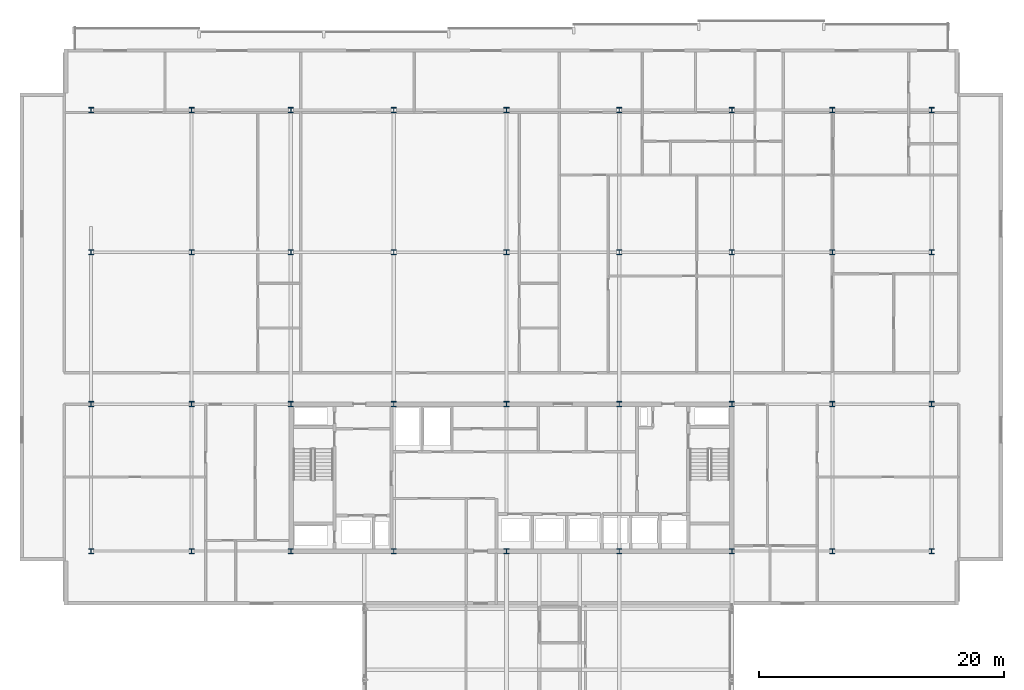
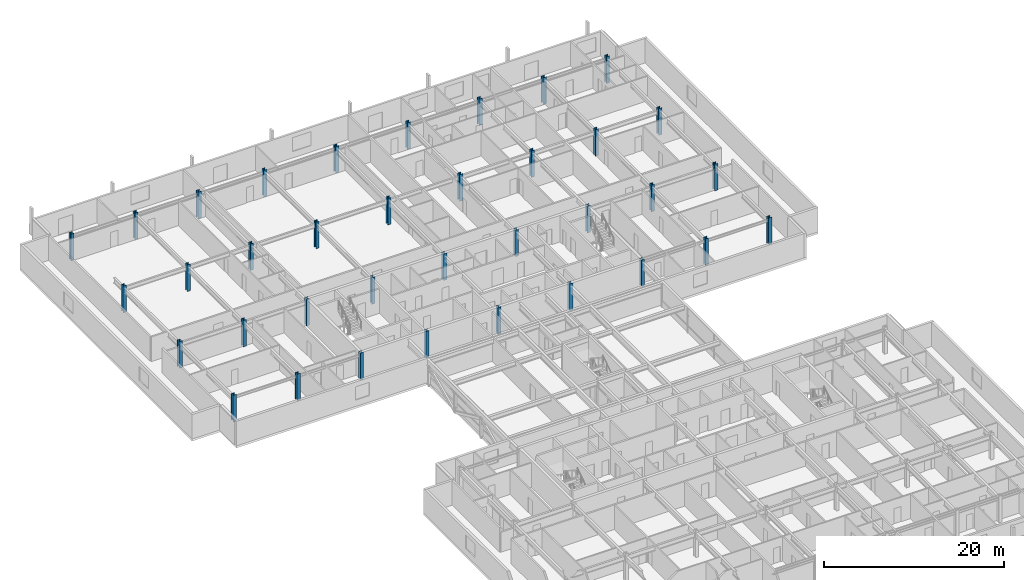
# One storey, part 2 of 36: 36 columns.
"""IFC4 building model written with IfcOpenShell, lengths in metres."""

from ifc_helpers import new_model, si_unit, direction, frame, origin, origin_2d, place, context, subcontext, project, spatial, i_section, extrude, material, material_profile, profile_set, type_object, element, save


model = new_model("IFC4")

# Units and contexts
model_context = context("Model", 3, precision=1e-05, world=origin(), true_north=direction((0.0, 1.0)))
body_context = subcontext(model_context, "Body", "Model", "MODEL_VIEW")
ifc_project = project(units=[si_unit("LENGTHUNIT", "METRE"), si_unit("AREAUNIT", "SQUARE_METRE"), si_unit("VOLUMEUNIT", "CUBIC_METRE"), si_unit("PLANEANGLEUNIT", "RADIAN"), si_unit("MASSUNIT", "GRAM", prefix="KILO")], contexts=[model_context])

# Site, building, storey
site_placement = place(None, origin())
site = spatial("IfcSite", under=ifc_project, at=site_placement, CompositionType="ELEMENT")
building_placement = place(site_placement, origin())
building = spatial("IfcBuilding", under=site, at=building_placement, Name="Korimba Cascade Residences", CompositionType="ELEMENT")
storey_placement = place(building_placement, frame((0.0, 0.0, 142.89990234375)))
storey = spatial("IfcBuildingStorey", under=building, at=storey_placement, Name="L41", CompositionType="ELEMENT", Elevation=142.89990234375)

# Columns
ifc_material = material(Name="Steel S460", Category="steel")
ifc_material_profile = material_profile(ifc_material, i_section(OverallWidth=0.412109375, OverallDepth=0.4365234375, WebThickness=0.035888671875, FlangeThickness=0.052001953125, FilletRadius=0.01513671875, at=origin_2d()), Name="Steel S460")
ifc_profile_set = profile_set([ifc_material_profile], Name="Steel S460")
column_type = type_object("IfcColumnType", Name="COL-STL-UC467", PredefinedType="COLUMN", material=ifc_profile_set)
for number, where, z_axis, x_axis, name in (
    (1, (59.800048828125, 55.199951171875, 0.0), (0.0, 0.0, 1.0), (1.0, 0.0, 0.0), "L41 Tower 1 Column 1.1"),
    (2, (59.800048828125, 67.199951171875, 0.0), (0.0, 0.0, 1.0), (1.0, 0.0, 0.0), "L41 Tower 1 Column 1.2"),
    (3, (59.800048828125, 79.60009765625, 0.0), (0.0, 0.0, 1.0), (1.0, 0.0, 0.0), "L41 Tower 1 Column 1.3"),
    (4, (59.800048828125, 91.199951171875, 0.0), (0.0, 0.0, 1.0), (1.0, 0.0, 0.0), "L41 Tower 1 Column 1.4"),
    (5, (68.0, 55.199951171875, 0.0), (0.0, 0.0, 1.0), (1.0, 0.0, 0.0), "L41 Tower 1 Column 2.1"),
    (6, (68.0, 67.199951171875, 0.0), (0.0, 0.0, 1.0), (1.0, 0.0, 0.0), "L41 Tower 1 Column 2.2"),
    (7, (68.0, 79.60009765625, 0.0), (0.0, 0.0, 1.0), (1.0, 0.0, 0.0), "L41 Tower 1 Column 2.3"),
    (8, (68.0, 91.199951171875, 0.0), (0.0, 0.0, 1.0), (1.0, 0.0, 0.0), "L41 Tower 1 Column 2.4"),
    (9, (76.10009765625, 55.199951171875, 0.0), (0.0, 0.0, 1.0), (1.0, 0.0, 0.0), "L41 Tower 1 Column 3.1"),
    (10, (76.10009765625, 67.199951171875, 0.0), (0.0, 0.0, 1.0), (1.0, 0.0, 0.0), "L41 Tower 1 Column 3.2"),
    (11, (76.10009765625, 79.60009765625, 0.0), (0.0, 0.0, 1.0), (1.0, 0.0, 0.0), "L41 Tower 1 Column 3.3"),
    (12, (76.10009765625, 91.199951171875, 0.0), (0.0, 0.0, 1.0), (1.0, 0.0, 0.0), "L41 Tower 1 Column 3.4"),
    (13, (84.5, 55.199951171875, 0.0), (0.0, 0.0, 1.0), (1.0, 0.0, 0.0), "L41 Tower 1 Column 4.1"),
    (14, (84.5, 67.199951171875, 0.0), (0.0, 0.0, 1.0), (1.0, 0.0, 0.0), "L41 Tower 1 Column 4.2"),
    (15, (84.5, 79.60009765625, 0.0), (0.0, 0.0, 1.0), (1.0, 0.0, 0.0), "L41 Tower 1 Column 4.3"),
    (16, (84.5, 91.199951171875, 0.0), (0.0, 0.0, 1.0), (1.0, 0.0, 0.0), "L41 Tower 1 Column 4.4"),
    (17, (93.699951171875, 55.199951171875, 0.0), (0.0, 0.0, 1.0), (1.0, 0.0, 0.0), "L41 Tower 1 Column 5.1"),
    (18, (93.699951171875, 67.199951171875, 0.0), (0.0, 0.0, 1.0), (1.0, 0.0, 0.0), "L41 Tower 1 Column 5.2"),
    (19, (93.699951171875, 79.60009765625, 0.0), (0.0, 0.0, 1.0), (1.0, 0.0, 0.0), "L41 Tower 1 Column 5.3"),
    (20, (93.699951171875, 91.199951171875, 0.0), (0.0, 0.0, 1.0), (1.0, 0.0, 0.0), "L41 Tower 1 Column 5.4"),
    (21, (102.89990234375, 55.199951171875, 0.0), (0.0, 0.0, 1.0), (1.0, 0.0, 0.0), "L41 Tower 1 Column 6.1"),
    (22, (102.89990234375, 67.199951171875, 0.0), (0.0, 0.0, 1.0), (1.0, 0.0, 0.0), "L41 Tower 1 Column 6.2"),
    (23, (102.89990234375, 79.60009765625, 0.0), (0.0, 0.0, 1.0), (1.0, 0.0, 0.0), "L41 Tower 1 Column 6.3"),
    (24, (102.89990234375, 91.199951171875, 0.0), (0.0, 0.0, 1.0), (1.0, 0.0, 0.0), "L41 Tower 1 Column 6.4"),
    (25, (112.10009765625, 55.199951171875, 0.0), (0.0, 0.0, 1.0), (1.0, 0.0, 0.0), "L41 Tower 1 Column 7.1"),
    (26, (112.10009765625, 67.199951171875, 0.0), (0.0, 0.0, 1.0), (1.0, 0.0, 0.0), "L41 Tower 1 Column 7.2"),
    (27, (112.10009765625, 79.60009765625, 0.0), (0.0, 0.0, 1.0), (1.0, 0.0, 0.0), "L41 Tower 1 Column 7.3"),
    (28, (112.10009765625, 91.199951171875, 0.0), (0.0, 0.0, 1.0), (1.0, 0.0, 0.0), "L41 Tower 1 Column 7.4"),
    (29, (120.300048828125, 55.199951171875, 0.0), (0.0, 0.0, 1.0), (1.0, 0.0, 0.0), "L41 Tower 1 Column 8.1"),
    (30, (120.300048828125, 67.199951171875, 0.0), (0.0, 0.0, 1.0), (1.0, 0.0, 0.0), "L41 Tower 1 Column 8.2"),
    (31, (120.300048828125, 79.60009765625, 0.0), (0.0, 0.0, 1.0), (1.0, 0.0, 0.0), "L41 Tower 1 Column 8.3"),
    (32, (120.300048828125, 91.199951171875, 0.0), (0.0, 0.0, 1.0), (1.0, 0.0, 0.0), "L41 Tower 1 Column 8.4"),
    (33, (128.39990234375, 55.199951171875, 0.0), (0.0, 0.0, 1.0), (1.0, 0.0, 0.0), "L41 Tower 1 Column 9.1"),
    (34, (128.39990234375, 67.199951171875, 0.0), (0.0, 0.0, 1.0), (1.0, 0.0, 0.0), "L41 Tower 1 Column 9.2"),
    (35, (128.39990234375, 79.60009765625, 0.0), (0.0, 0.0, 1.0), (1.0, 0.0, 0.0), "L41 Tower 1 Column 9.3"),
    (36, (128.39990234375, 91.199951171875, 0.0), (0.0, 0.0, 1.0), (1.0, 0.0, 0.0), "L41 Tower 1 Column 9.4"),
):
    element("IfcColumn", number, at=place(storey_placement, frame(where, z_axis=z_axis, x_axis=x_axis)), inside=storey, type_object=column_type, Name=name, PredefinedType="COLUMN", context=body_context, shape_type="SweptSolid", body=[
        extrude(i_section(OverallWidth=0.412109375, OverallDepth=0.4365234375, WebThickness=0.035888671875, FlangeThickness=0.052001953125, FilletRadius=0.01513671875, at=origin_2d()), origin(), (0.0, 0.0, 1.0), 3.60009765625),
    ])

save(model, "model.ifc")
